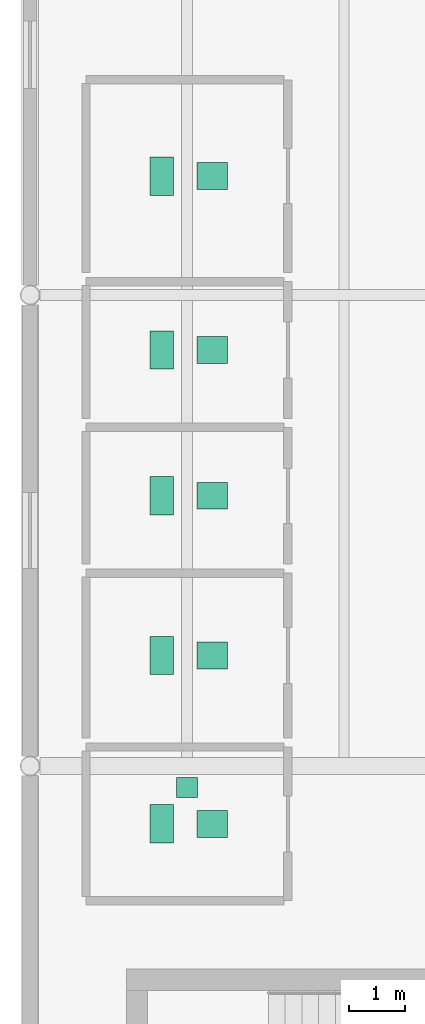
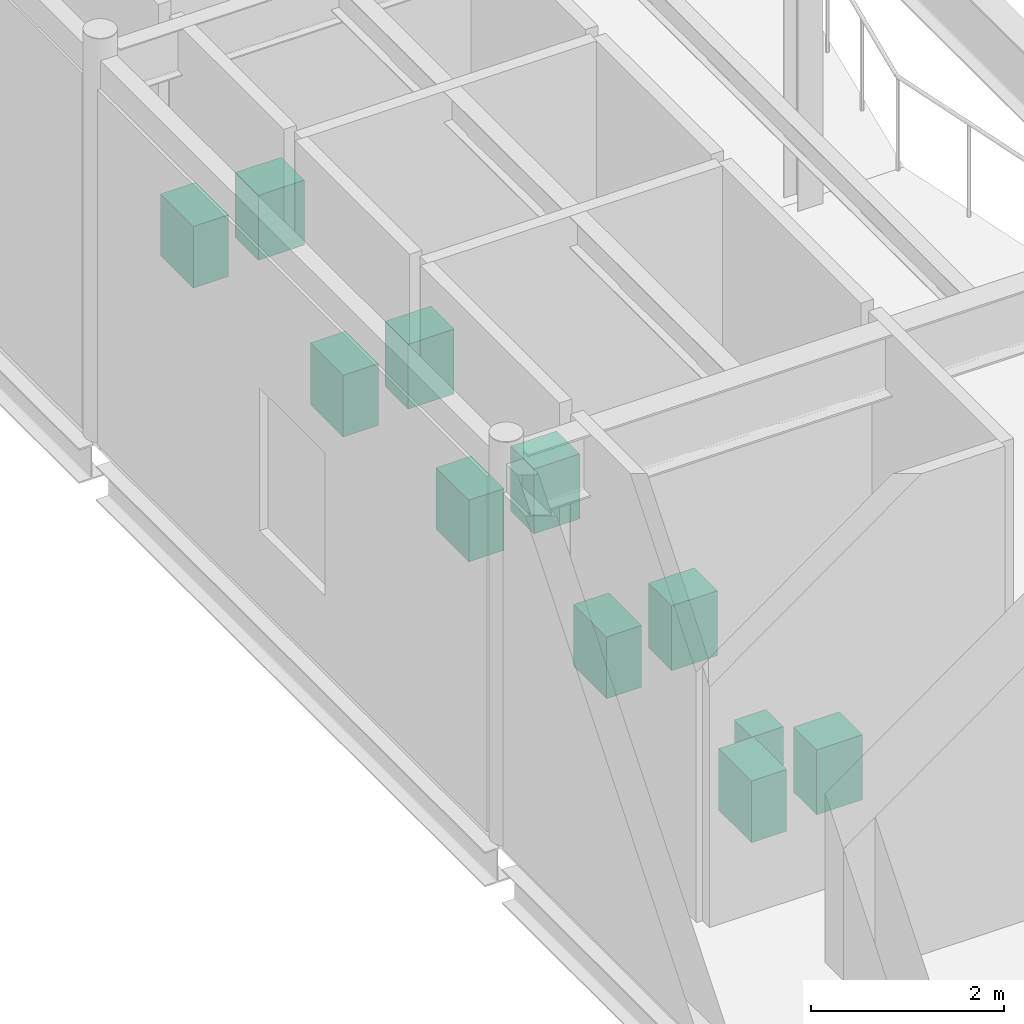
# One storey, part 57 of 57: 11 sanitary terminals.
"""IFC4 building model written with IfcOpenShell, lengths in metres."""

from ifc_helpers import new_model, si_unit, direction, frame, origin, origin_2d, place, context, subcontext, project, spatial, rectangle, extrude, material, type_object, element, save


model = new_model("IFC4")

# Units and contexts
model_context = context("Model", 3, precision=1e-05, world=origin(), true_north=direction((0.0, 1.0)))
body_context = subcontext(model_context, "Body", "Model", "MODEL_VIEW")
ifc_project = project(units=[si_unit("LENGTHUNIT", "METRE"), si_unit("AREAUNIT", "SQUARE_METRE"), si_unit("VOLUMEUNIT", "CUBIC_METRE"), si_unit("PLANEANGLEUNIT", "RADIAN"), si_unit("MASSUNIT", "GRAM", prefix="KILO"), si_unit("THERMODYNAMICTEMPERATUREUNIT", "KELVIN")], contexts=[model_context])

# Site, building, storey
site_placement = place(None, origin())
site = spatial("IfcSite", under=ifc_project, at=site_placement, CompositionType="ELEMENT")
building_placement = place(site_placement, origin())
building = spatial("IfcBuilding", under=site, at=building_placement, Name="Lustrewick Department Store", CompositionType="ELEMENT")
storey_placement = place(building_placement, frame((0.0, 0.0, 26.699951171875)))
storey = spatial("IfcBuildingStorey", under=building, at=storey_placement, Name="L06", CompositionType="ELEMENT", Elevation=26.699951171875)

# Sanitary terminals
ifc_material = material(Name="Glazed white vitreous china sanitaryware", Category="masonry")
sanitary_terminal_type_1 = type_object("IfcSanitaryTerminalType", Name="SAN-URI", PredefinedType="URINAL", material=ifc_material)
sanitary_terminal_placement = place(storey_placement, frame((11.199951171875, 58.419921875, 0.0), z_axis=(0.0, 0.0, 1.0), x_axis=(1.0, 0.0, 0.0)))
element("IfcSanitaryTerminal", 1, at=sanitary_terminal_placement, inside=storey, type_object=sanitary_terminal_type_1, Name="L06 Male Public WC Urinal", PredefinedType="URINAL", context=body_context, shape_type="SweptSolid", body=[
    extrude(rectangle(XDim=0.3798828125, YDim=0.360107421875, at=origin_2d()), origin(), (0.0, 0.0, 1.0), 0.679931640625),
])
sanitary_terminal_type_2 = type_object("IfcSanitaryTerminalType", Name="SAN-WC", PredefinedType="TOILETPAN", material=ifc_material)
for number, where, z_axis, x_axis, name in (
    (2, (10.75, 57.77001953125, 0.0), (0.0, 0.0, 1.0), (1.0, 0.0, 0.0), "L06 Male Public WC WC Pan"),
    (3, (10.75, 60.77001953125, 0.0), (0.0, 0.0, 1.0), (1.0, 0.0, 0.0), "L06 Female Public WC WC Pan"),
    (4, (10.75, 63.6201171875, 0.0), (0.0, 0.0, 1.0), (1.0, 0.0, 0.0), "L06 Accessible WC WC Pan"),
    (5, (10.75, 66.219970703125, 0.0), (0.0, 0.0, 1.0), (1.0, 0.0, 0.0), "L06 Staff WC WC Pan"),
    (6, (10.75, 69.320068359375, 0.0), (0.0, 0.0, 1.0), (1.0, 0.0, 0.0), "L06 Nursery Room WC Pan"),
):
    element("IfcSanitaryTerminal", number, at=place(storey_placement, frame(where, z_axis=z_axis, x_axis=x_axis)), inside=storey, type_object=sanitary_terminal_type_2, Name=name, PredefinedType="TOILETPAN", context=body_context, shape_type="SweptSolid", body=[
        extrude(rectangle(XDim=0.419921875, YDim=0.679931640625, at=origin_2d()), origin(), (0.0, 0.0, 1.0), 0.780029296875),
    ])
sanitary_terminal_type_3 = type_object("IfcSanitaryTerminalType", Name="SAN-WHB", PredefinedType="WASHHANDBASIN", material=ifc_material)
for number, where, z_axis, x_axis, name in (
    (7, (11.64990234375, 57.77001953125, 0.0), (0.0, 0.0, 1.0), (1.0, 0.0, 0.0), "L06 Male Public WC Washbasin"),
    (8, (11.64990234375, 60.77001953125, 0.0), (0.0, 0.0, 1.0), (1.0, 0.0, 0.0), "L06 Female Public WC Washbasin"),
    (9, (11.64990234375, 63.6201171875, 0.0), (0.0, 0.0, 1.0), (1.0, 0.0, 0.0), "L06 Accessible WC Washbasin"),
    (10, (11.64990234375, 66.219970703125, 0.0), (0.0, 0.0, 1.0), (1.0, 0.0, 0.0), "L06 Staff WC Washbasin"),
    (11, (11.64990234375, 69.320068359375, 0.0), (0.0, 0.0, 1.0), (1.0, 0.0, 0.0), "L06 Nursery Room Washbasin"),
):
    element("IfcSanitaryTerminal", number, at=place(storey_placement, frame(where, z_axis=z_axis, x_axis=x_axis)), inside=storey, type_object=sanitary_terminal_type_3, Name=name, PredefinedType="WASHHANDBASIN", context=body_context, shape_type="SweptSolid", body=[
        extrude(rectangle(XDim=0.550048828125, YDim=0.47998046875, at=origin_2d()), origin(), (0.0, 0.0, 1.0), 0.820068359375),
    ])

save(model, "model.ifc")
